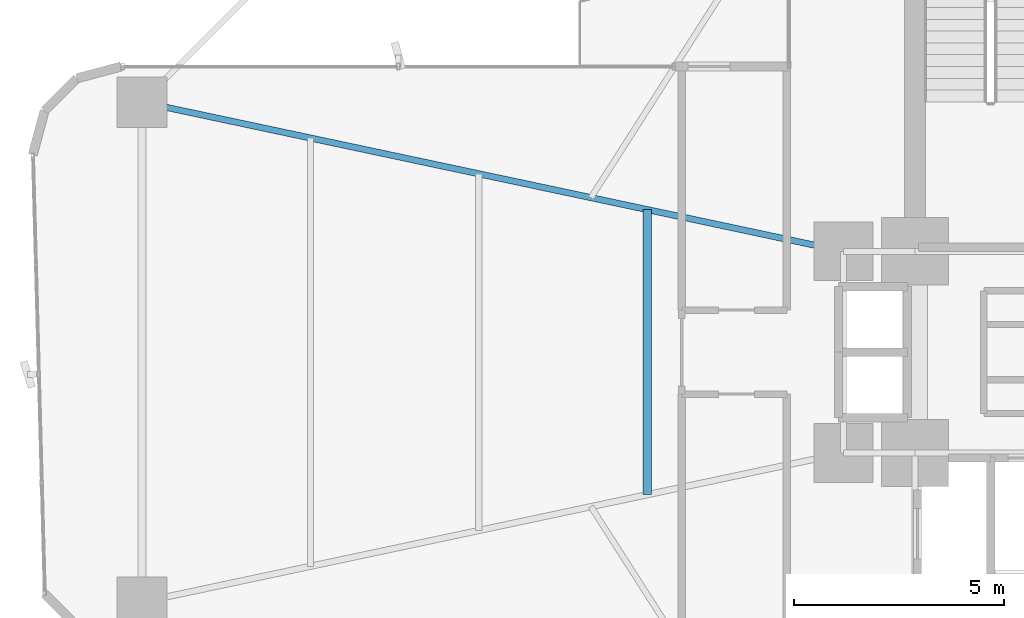
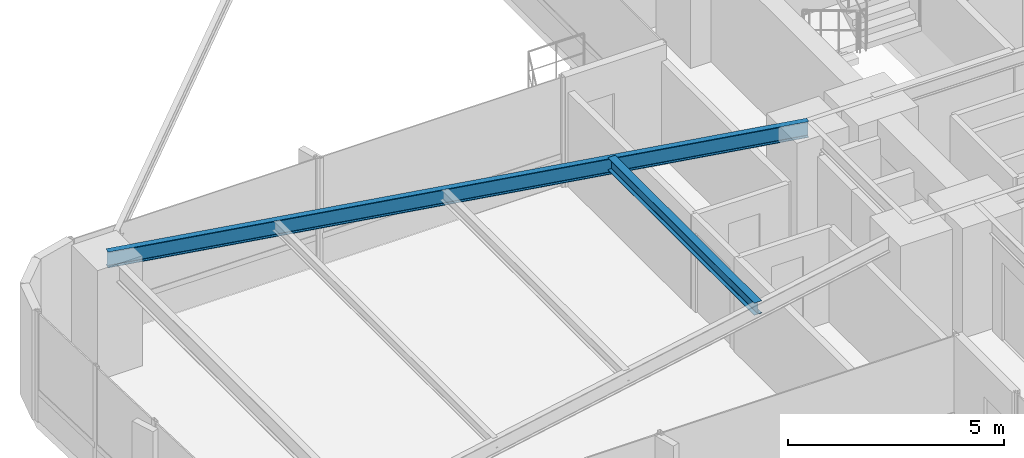
# One storey, part 9 of 25: 2 beams.
"""IFC4 building model written with IfcOpenShell, lengths in metres."""

from ifc_helpers import new_model, si_unit, direction, frame, origin, origin_2d, place, context, subcontext, project, spatial, i_section, extrude, source, transform, mapped, material, material_profile, profile_set, type_object, element, save


model = new_model("IFC4")

# Units and contexts
model_context = context("Model", 3, precision=1e-05, world=origin(), true_north=direction((0.0, 1.0)))
body_context = subcontext(model_context, "Body", "Model", "MODEL_VIEW")
ifc_project = project(units=[si_unit("LENGTHUNIT", "METRE"), si_unit("AREAUNIT", "SQUARE_METRE"), si_unit("VOLUMEUNIT", "CUBIC_METRE"), si_unit("PLANEANGLEUNIT", "RADIAN"), si_unit("MASSUNIT", "GRAM", prefix="KILO")], contexts=[model_context])

# Site, building, storey
site_placement = place(None, origin())
site = spatial("IfcSite", under=ifc_project, at=site_placement, CompositionType="ELEMENT")
building_placement = place(site_placement, origin())
building = spatial("IfcBuilding", under=site, at=building_placement, Name="Sahyath Konkavel Grand Hotel", CompositionType="ELEMENT")
storey_placement = place(building_placement, frame((0.0, 0.0, 64.449951171875)))
storey = spatial("IfcBuildingStorey", under=building, at=storey_placement, Name="L17", CompositionType="ELEMENT", Elevation=64.449951171875)

# Beams
ifc_material = material(Name="Steel E350", Category="steel")
ifc_material_profile_1 = material_profile(ifc_material, i_section(OverallWidth=0.14990234375, OverallDepth=0.449951171875, WebThickness=0.009521484375, FlangeThickness=0.017333984375, FilletRadius=0.014892578125, at=origin_2d()), Name="ISMB 450")
ifc_profile_set_1 = profile_set([ifc_material_profile_1], Name="Steel E350")
beam_type_1 = type_object("IfcBeamType", Name="BM-ISMB450", PredefinedType="BEAM", material=ifc_profile_set_1)
shared_shape_1 = source(origin(), body_context, "Body", "SweptSolid", [
    extrude(i_section(OverallWidth=0.14990234375, OverallDepth=0.449951171875, WebThickness=0.009521484375, FlangeThickness=0.017333984375, FilletRadius=0.014892578125, at=origin_2d()), origin(), (0.0, 0.0, 1.0), 17.072998046875),
])
beam_1_placement = place(storey_placement, frame((-5.5, 2.39990234375, 2.885009765625), z_axis=(-0.978143257225, 0.20793212437, 0.0), x_axis=(-0.20793212437, -0.978143257225, 0.0)))
element("IfcBeam", 1, at=beam_1_placement, inside=storey, type_object=beam_type_1, Name="L17 Cruciform Radial Girder WA", PredefinedType="BEAM", context=body_context, shape_type="MappedRepresentation", body=[
    mapped(shared_shape_1, transform((0.0, 0.0, 0.0), scale=1.0)),
])
ifc_material_profile_2 = material_profile(ifc_material, i_section(OverallWidth=0.199951171875, OverallDepth=0.35009765625, WebThickness=0.008056640625, FlangeThickness=0.011474609375, FilletRadius=0.013916015625, at=origin_2d()), Name="ISWB 350")
ifc_profile_set_2 = profile_set([ifc_material_profile_2], Name="Steel E350")
beam_type_2 = type_object("IfcBeamType", Name="BM-ISWB350", PredefinedType="BEAM", material=ifc_profile_set_2)
shared_shape_2 = source(origin(), body_context, "Body", "SweptSolid", [
    extrude(i_section(OverallWidth=0.199951171875, OverallDepth=0.35009765625, WebThickness=0.008056640625, FlangeThickness=0.011474609375, FilletRadius=0.013916015625, at=origin_2d()), origin(), (0.0, 0.0, 1.0), 6.7880859375),
])
beam_2_placement = place(storey_placement, frame((-10.176025390625, 3.39404296875, 2.93505859375), z_axis=(0.0, -1.0, 0.0), x_axis=(1.0, 0.0, 0.0)))
element("IfcBeam", 2, at=beam_2_placement, inside=storey, type_object=beam_type_2, Name="L17 Secondary Floor Beam W-1", PredefinedType="BEAM", context=body_context, shape_type="MappedRepresentation", body=[
    mapped(shared_shape_2, transform((0.0, 0.0, 0.0), scale=1.0)),
])

save(model, "model.ifc")
